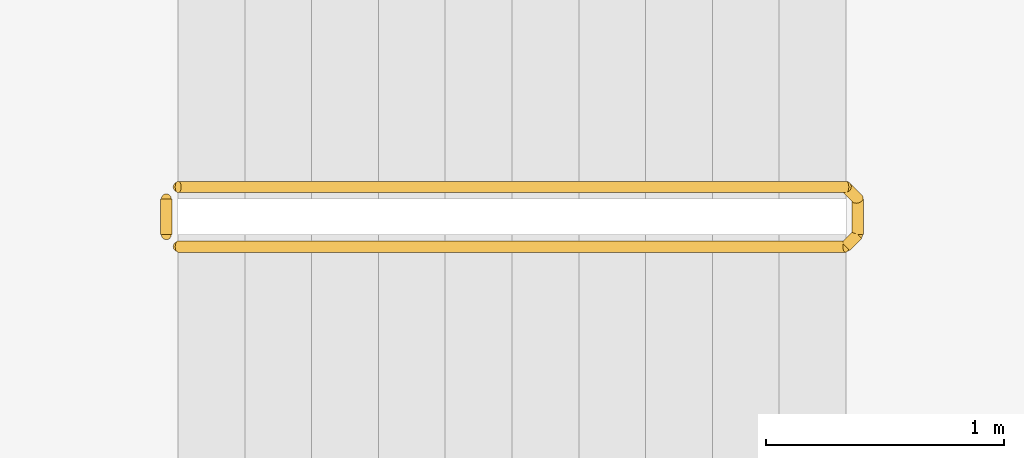
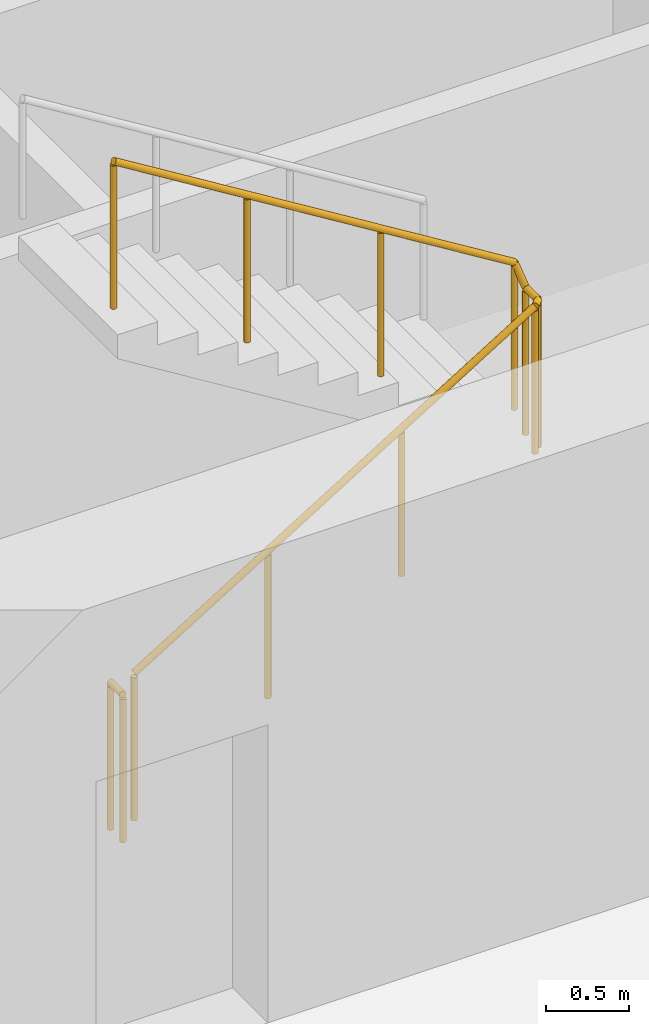
# One storey, part 9 of 13: 2 railings.
"""IFC4 building model written with IfcOpenShell, lengths in metres."""

import ifcopenshell
import ifcopenshell.guid

model = None  # the IFC model being written
_history = None  # IfcOwnerHistory: only IFC2X3 demands one
_inside = {}  # id of a spatial element -> (the spatial element, [elements in it])
_under = {}  # id of a project, library or spatial element -> (it, [spatial elements below it])
_declared = {}  # id of a project -> (the project, [libraries it declares])
_typed = {}  # id of a type object -> (the type object, [elements of that type])
_made_of = {}  # id of a material, layer set ... -> (it, [elements and type objects made of it])


def new_model(schema):
    """Start an empty IFC model of exactly this schema.

    Asked for "IFC4X3", IfcOpenShell would pick the latest addendum, in which some entities
    have other attributes; the version numbers below select the first issue.
    IFC2X3 requires an IfcOwnerHistory on every rooted entity: one is made here for all.
    """
    global model, _history
    if schema == "IFC4X3":
        model = ifcopenshell.file(schema_version=(4, 3, 0, 0))
    else:
        model = ifcopenshell.file(schema=schema)
    _inside.clear()
    _under.clear()
    _declared.clear()
    _typed.clear()
    _made_of.clear()
    _history = None
    if model.schema == "IFC2X3":
        org = make("IfcOrganization", Name="unknown")
        user = make(
            "IfcPersonAndOrganization",
            ThePerson=make("IfcPerson", FamilyName="unknown"),
            TheOrganization=org,
        )
        app = make(
            "IfcApplication",
            ApplicationDeveloper=org,
            Version="unknown",
            ApplicationFullName="unknown",
            ApplicationIdentifier="unknown",
        )
        _history = make(
            "IfcOwnerHistory",
            OwningUser=user,
            OwningApplication=app,
            ChangeAction="ADDED",
            CreationDate=0,
        )
    return model


def make(cls, **values):
    """One entity of the class cls with the attributes given. An attribute that is None is left unset."""
    return model.create_entity(
        cls, **{name: value for name, value in values.items() if value is not None}
    )


def rooted(cls, **values):
    """An entity with a GlobalId (a new one), such as an element, a storey or a relation."""
    return make(cls, GlobalId=ifcopenshell.guid.new(), OwnerHistory=_history, **values)


def si_unit(unit_type, name, prefix=None):
    """IfcSIUnit, for example si_unit("LENGTHUNIT", "METRE", prefix="MILLI")."""
    return make("IfcSIUnit", UnitType=unit_type, Prefix=prefix, Name=name)


def assignment(units):
    """IfcUnitAssignment: the units of a project."""
    return None if units is None else make("IfcUnitAssignment", Units=units)


def point(xyz):
    """IfcCartesianPoint."""
    return None if xyz is None else make("IfcCartesianPoint", Coordinates=xyz)


def direction(xyz):
    """IfcDirection."""
    return None if xyz is None else make("IfcDirection", DirectionRatios=xyz)


def frame(location, z_axis=None, x_axis=None):
    """IfcAxis2Placement3D, a coordinate frame: its origin and axes. An axis left out is left unset."""
    return make(
        "IfcAxis2Placement3D",
        Location=point(location),
        Axis=direction(z_axis),
        RefDirection=direction(x_axis),
    )


def frame_2d(location, x_axis=None):
    """IfcAxis2Placement2D, a coordinate frame in the plane: its origin and x axis."""
    return make(
        "IfcAxis2Placement2D", Location=point(location), RefDirection=direction(x_axis)
    )


def origin():
    """The frame at (0, 0, 0) with its axes left unset."""
    return frame((0.0, 0.0, 0.0))


def origin_2d():
    """The frame at (0, 0) in the plane with its x axis left unset."""
    return frame_2d((0.0, 0.0))


def place(relative_to, where):
    """IfcLocalPlacement: puts the frame where relative to a parent placement (None: the world)."""
    return make(
        "IfcLocalPlacement", PlacementRelTo=relative_to, RelativePlacement=where
    )


def context(
    kind, dimensions, precision=None, world=None, true_north=None, identifier=None
):
    """IfcGeometricRepresentationContext, for example the 3D "Model" context."""
    return make(
        "IfcGeometricRepresentationContext",
        ContextIdentifier=identifier,
        ContextType=kind,
        CoordinateSpaceDimension=dimensions,
        Precision=precision,
        WorldCoordinateSystem=world,
        TrueNorth=true_north,
    )


def subcontext(parent, identifier, kind, view, scale=None):
    """IfcGeometricRepresentationSubContext, for example "Body" below "Model"."""
    return make(
        "IfcGeometricRepresentationSubContext",
        ContextIdentifier=identifier,
        ContextType=kind,
        ParentContext=parent,
        TargetScale=scale,
        TargetView=view,
    )


def project(units=None, contexts=None):
    """IfcProject with its units and contexts."""
    return rooted(
        "IfcProject",
        Name="project",
        RepresentationContexts=contexts,
        UnitsInContext=assignment(units),
    )


def spatial(cls, under=None, at=None, **own):
    """A site, building, storey or space (cls), placed at a placement, below another one or the project."""
    s = rooted(cls, ObjectPlacement=at, **own)
    if under is not None:
        _under.setdefault(under.id(), (under, []))[1].append(s)
    return s


def profile(cls, at=None, kind="AREA", **sizes):
    """A parametric profile (cls). Its sizes go by their IFC names, for example OverallWidth=200.0."""
    return make(cls, ProfileType=kind, Position=at, **sizes)


def circle(**sizes):
    """IfcCircleProfileDef."""
    return profile("IfcCircleProfileDef", **sizes)


def extrude(swept, where, along, depth):
    """IfcExtrudedAreaSolid: the profile swept, set in the frame where, extruded along a direction by depth."""
    return make(
        "IfcExtrudedAreaSolid",
        SweptArea=swept,
        Position=where,
        ExtrudedDirection=direction(along),
        Depth=depth,
    )


def shape(context_of_items, identifier, shape_type, items):
    """IfcShapeRepresentation: the items that make up one representation, for example the "Body"."""
    return make(
        "IfcShapeRepresentation",
        ContextOfItems=context_of_items,
        RepresentationIdentifier=identifier,
        RepresentationType=shape_type,
        Items=items,
    )


def material(Name=None, Category=None):
    """IfcMaterial."""
    return make("IfcMaterial", Name=Name, Category=Category)


def made_of(thing, what):
    """Note that an element or type object is made of a material, layer set ...; save() writes the relation."""
    if what is not None:
        _made_of.setdefault(what.id(), (what, []))[1].append(thing)
    return thing


def type_object(cls, material=None, **own):
    """A type object (cls), such as IfcWallType, which elements share."""
    return made_of(rooted(cls, **own), material)


def element(
    cls,
    number,
    at=None,
    inside=None,
    cuts=None,
    type_object=None,
    material=None,
    context=None,
    identifier="Body",
    shape_type=None,
    held_by="IfcProductDefinitionShape",
    body=None,
    shapes=None,
    **own,
):
    """One element of the class cls, such as IfcWall. Its Tag is "e" and its number.

    at: its placement. inside: the storey or other place that contains it. cuts: it is an
    opening in that element (IfcRelVoidsElement). A single representation is given by context,
    identifier, shape_type and body (its items); several are given by shapes. held_by: the class
    of the entity that holds the representations. save() writes the other relations.
    """
    e = rooted(cls, Tag="e%d" % number, ObjectPlacement=at, **own)
    if body is not None:
        shapes = [shape(context, identifier, shape_type, body)]
    if shapes is not None:
        e.Representation = make(held_by, Representations=shapes)
    if inside is not None:
        _inside.setdefault(inside.id(), (inside, []))[1].append(e)
    if cuts is not None:
        rooted(
            "IfcRelVoidsElement", RelatingBuildingElement=cuts, RelatedOpeningElement=e
        )
    if type_object is not None:
        _typed.setdefault(type_object.id(), (type_object, []))[1].append(e)
    return made_of(e, material)


def aggregate(whole, parts):
    """IfcRelAggregates: a whole, such as a stair, and the parts it consists of."""
    return rooted("IfcRelAggregates", RelatingObject=whole, RelatedObjects=parts)


def save(model, path):
    """Write the relations noted so far, then the file.

    IfcRelAggregates (storeys below a building ...), IfcRelContainedInSpatialStructure (elements
    in a storey), IfcRelDefinesByType, IfcRelAssociatesMaterial and IfcRelDeclares: one each for
    every whole, place, type object, material and project.
    """
    for whole, parts in _under.values():
        aggregate(whole, parts)
    for where, things in _inside.values():
        rooted(
            "IfcRelContainedInSpatialStructure",
            RelatedElements=things,
            RelatingStructure=where,
        )
    for kind, things in _typed.values():
        rooted("IfcRelDefinesByType", RelatedObjects=things, RelatingType=kind)
    for what, things in _made_of.values():
        rooted("IfcRelAssociatesMaterial", RelatedObjects=things, RelatingMaterial=what)
    for by, libraries in _declared.values():
        rooted("IfcRelDeclares", RelatingContext=by, RelatedDefinitions=libraries)
    model.write(path)


model = new_model("IFC4")

# Units and contexts
model_context = context("Model", 3, precision=1e-05, world=origin(), true_north=direction((0.0, 1.0)))
body_context = subcontext(model_context, "Body", "Model", "MODEL_VIEW")
ifc_project = project(units=[si_unit("LENGTHUNIT", "METRE"), si_unit("AREAUNIT", "SQUARE_METRE"), si_unit("VOLUMEUNIT", "CUBIC_METRE"), si_unit("PLANEANGLEUNIT", "RADIAN"), si_unit("MASSUNIT", "GRAM", prefix="KILO")], contexts=[model_context])

# Site, building, storey
site_placement = place(None, origin())
site = spatial("IfcSite", under=ifc_project, at=site_placement, CompositionType="ELEMENT")
building_placement = place(site_placement, origin())
building = spatial("IfcBuilding", under=site, at=building_placement, Name="Orbiselva Terraces", CompositionType="ELEMENT")
storey_placement = place(building_placement, frame((0.0, 0.0, 92.2)))
storey = spatial("IfcBuildingStorey", under=building, at=storey_placement, Name="L23", CompositionType="ELEMENT", Elevation=92.2)

# Railings
ifc_material = material(Name="Stainless steel", Category="steel")
railing_type = type_object("IfcRailingType", Name="CORE-GUARD-1100", PredefinedType="GUARDRAIL", material=ifc_material)
railing_1_placement = place(storey_placement, frame((-7.15, 6.55, 0.172727)))
element("IfcRailing", 1, at=railing_1_placement, inside=storey, type_object=railing_type, Name="L23 S3 stair guard 1", PredefinedType="GUARDRAIL", context=body_context, shape_type="SweptSolid", body=[
    extrude(circle(Radius=0.024, at=origin_2d()), frame((0.0, 0.0, 1.081), z_axis=(0.851088519012, 0.0, 0.52502222125), x_axis=(0.0, 1.0, 0.0)), (0.0, 0.0, 1.0), 3.289905),
    extrude(circle(Radius=0.024, at=origin_2d()), frame((2.8, 0.0, 2.808273), z_axis=(0.707106781187, 0.707106781187, 0.0), x_axis=(-0.707106781187, 0.707106781187, 0.0)), (0.0, 0.0, 1.0), 0.070711),
    extrude(circle(Radius=0.024, at=origin_2d()), frame((2.85, 0.05, 2.808273), z_axis=(0.0, 1.0, 0.0), x_axis=(-1.0, 0.0, 0.0)), (0.0, 0.0, 1.0), 0.15),
    extrude(circle(Radius=0.024, at=origin_2d()), frame((2.85, 0.2, 2.808273), z_axis=(-0.267894925557, 0.267894925557, 0.925453736133), x_axis=(-0.707106781187, -0.707106781187, 0.0)), (0.0, 0.0, 1.0), 0.18664),
    extrude(circle(Radius=0.024, at=origin_2d()), frame((2.8, 0.25, 2.981), z_axis=(-0.851088519012, 0.0, 0.52502222125), x_axis=(0.0, -1.0, 0.0)), (0.0, 0.0, 1.0), 3.289905),
    extrude(circle(Radius=0.021, at=origin_2d()), origin(), (0.0, 0.0, 1.0), 1.057),
    extrude(circle(Radius=0.021, at=origin_2d()), frame((0.933333, 0.0, 0.575758)), (0.0, 0.0, 1.0), 1.057),
    extrude(circle(Radius=0.021, at=origin_2d()), frame((1.866667, 0.0, 1.151515)), (0.0, 0.0, 1.0), 1.057),
    extrude(circle(Radius=0.021, at=origin_2d()), frame((2.8, 0.0, 1.727273)), (0.0, 0.0, 1.0), 1.057),
    extrude(circle(Radius=0.021, at=origin_2d()), frame((2.85, 0.05, 1.727273)), (0.0, 0.0, 1.0), 1.057),
    extrude(circle(Radius=0.021, at=origin_2d()), frame((2.85, 0.2, 1.727273)), (0.0, 0.0, 1.0), 1.057),
    extrude(circle(Radius=0.021, at=origin_2d()), frame((2.8, 0.25, 1.9)), (0.0, 0.0, 1.0), 1.057),
    extrude(circle(Radius=0.021, at=origin_2d()), frame((1.866667, 0.25, 2.475758)), (0.0, 0.0, 1.0), 1.057),
    extrude(circle(Radius=0.021, at=origin_2d()), frame((0.933333, 0.25, 3.051515)), (0.0, 0.0, 1.0), 1.057),
    extrude(circle(Radius=0.021, at=origin_2d()), frame((0.0, 0.25, 3.627273)), (0.0, 0.0, 1.0), 1.057),
])
railing_2_placement = place(storey_placement, frame((-7.2, 6.6, 0.0)))
element("IfcRailing", 2, at=railing_2_placement, inside=storey, type_object=railing_type, Name="L23 S3 stair guard 2", PredefinedType="GUARDRAIL", context=body_context, shape_type="SweptSolid", body=[
    extrude(circle(Radius=0.024, at=origin_2d()), frame((0.0, 0.0, 1.081), z_axis=(0.0, 1.0, 0.0), x_axis=(-1.0, 0.0, 0.0)), (0.0, 0.0, 1.0), 0.15),
    extrude(circle(Radius=0.021, at=origin_2d()), origin(), (0.0, 0.0, 1.0), 1.057),
    extrude(circle(Radius=0.021, at=origin_2d()), frame((0.0, 0.15, 0.0)), (0.0, 0.0, 1.0), 1.057),
])

save(model, "model.ifc")
